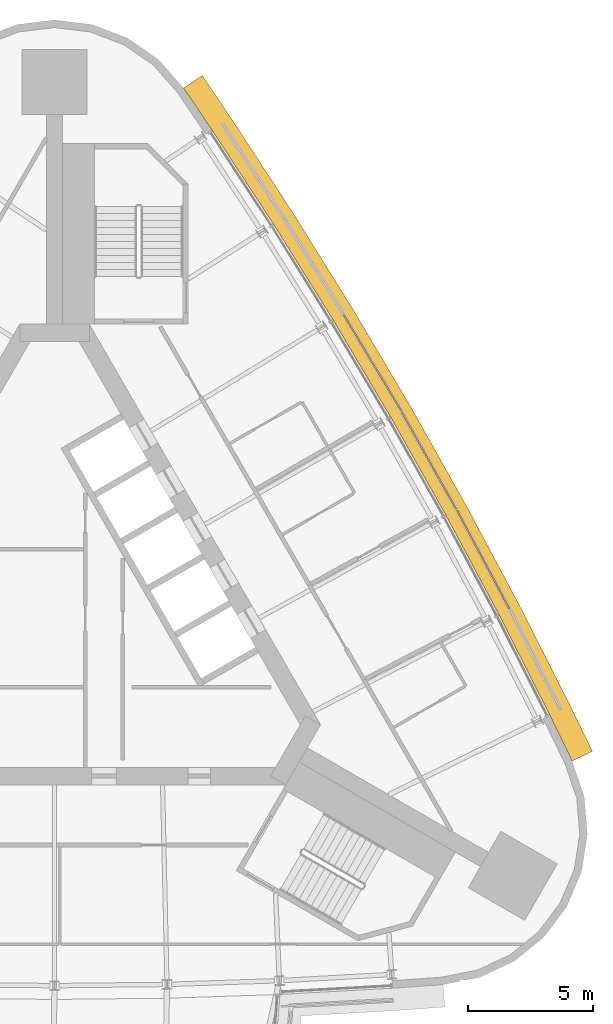
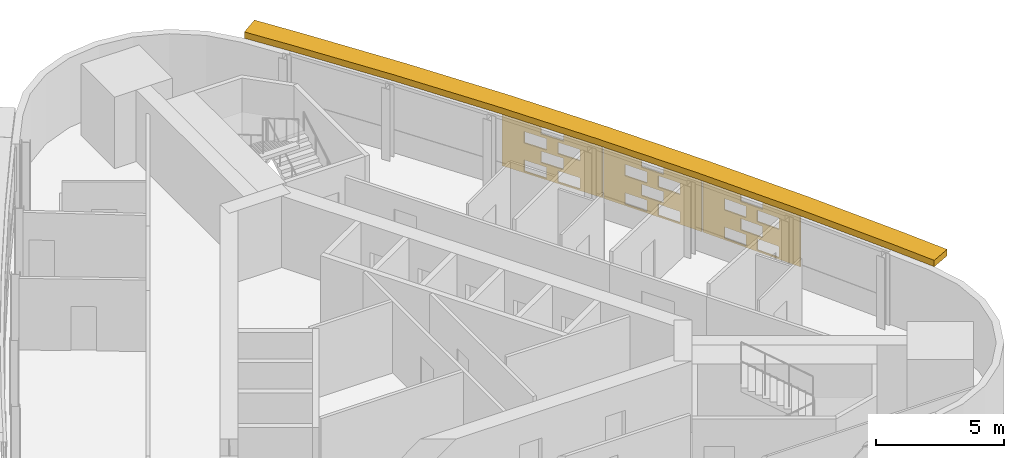
# One storey, part 14 of 14: 4 shading devices.
"""IFC4 building model written with IfcOpenShell, lengths in metres."""

import ifcopenshell
import ifcopenshell.guid

model = None  # the IFC model being written
_history = None  # IfcOwnerHistory: only IFC2X3 demands one
_inside = {}  # id of a spatial element -> (the spatial element, [elements in it])
_under = {}  # id of a project, library or spatial element -> (it, [spatial elements below it])
_declared = {}  # id of a project -> (the project, [libraries it declares])
_typed = {}  # id of a type object -> (the type object, [elements of that type])
_made_of = {}  # id of a material, layer set ... -> (it, [elements and type objects made of it])


def new_model(schema):
    """Start an empty IFC model of exactly this schema.

    Asked for "IFC4X3", IfcOpenShell would pick the latest addendum, in which some entities
    have other attributes; the version numbers below select the first issue.
    IFC2X3 requires an IfcOwnerHistory on every rooted entity: one is made here for all.
    """
    global model, _history
    if schema == "IFC4X3":
        model = ifcopenshell.file(schema_version=(4, 3, 0, 0))
    else:
        model = ifcopenshell.file(schema=schema)
    _inside.clear()
    _under.clear()
    _declared.clear()
    _typed.clear()
    _made_of.clear()
    _history = None
    if model.schema == "IFC2X3":
        org = make("IfcOrganization", Name="unknown")
        user = make(
            "IfcPersonAndOrganization",
            ThePerson=make("IfcPerson", FamilyName="unknown"),
            TheOrganization=org,
        )
        app = make(
            "IfcApplication",
            ApplicationDeveloper=org,
            Version="unknown",
            ApplicationFullName="unknown",
            ApplicationIdentifier="unknown",
        )
        _history = make(
            "IfcOwnerHistory",
            OwningUser=user,
            OwningApplication=app,
            ChangeAction="ADDED",
            CreationDate=0,
        )
    return model


def make(cls, **values):
    """One entity of the class cls with the attributes given. An attribute that is None is left unset."""
    return model.create_entity(
        cls, **{name: value for name, value in values.items() if value is not None}
    )


def rooted(cls, **values):
    """An entity with a GlobalId (a new one), such as an element, a storey or a relation."""
    return make(cls, GlobalId=ifcopenshell.guid.new(), OwnerHistory=_history, **values)


def si_unit(unit_type, name, prefix=None):
    """IfcSIUnit, for example si_unit("LENGTHUNIT", "METRE", prefix="MILLI")."""
    return make("IfcSIUnit", UnitType=unit_type, Prefix=prefix, Name=name)


def assignment(units):
    """IfcUnitAssignment: the units of a project."""
    return None if units is None else make("IfcUnitAssignment", Units=units)


def point(xyz):
    """IfcCartesianPoint."""
    return None if xyz is None else make("IfcCartesianPoint", Coordinates=xyz)


def direction(xyz):
    """IfcDirection."""
    return None if xyz is None else make("IfcDirection", DirectionRatios=xyz)


def frame(location, z_axis=None, x_axis=None):
    """IfcAxis2Placement3D, a coordinate frame: its origin and axes. An axis left out is left unset."""
    return make(
        "IfcAxis2Placement3D",
        Location=point(location),
        Axis=direction(z_axis),
        RefDirection=direction(x_axis),
    )


def origin():
    """The frame at (0, 0, 0) with its axes left unset."""
    return frame((0.0, 0.0, 0.0))


def place(relative_to, where):
    """IfcLocalPlacement: puts the frame where relative to a parent placement (None: the world)."""
    return make(
        "IfcLocalPlacement", PlacementRelTo=relative_to, RelativePlacement=where
    )


def context(
    kind, dimensions, precision=None, world=None, true_north=None, identifier=None
):
    """IfcGeometricRepresentationContext, for example the 3D "Model" context."""
    return make(
        "IfcGeometricRepresentationContext",
        ContextIdentifier=identifier,
        ContextType=kind,
        CoordinateSpaceDimension=dimensions,
        Precision=precision,
        WorldCoordinateSystem=world,
        TrueNorth=true_north,
    )


def subcontext(parent, identifier, kind, view, scale=None):
    """IfcGeometricRepresentationSubContext, for example "Body" below "Model"."""
    return make(
        "IfcGeometricRepresentationSubContext",
        ContextIdentifier=identifier,
        ContextType=kind,
        ParentContext=parent,
        TargetScale=scale,
        TargetView=view,
    )


def project(units=None, contexts=None):
    """IfcProject with its units and contexts."""
    return rooted(
        "IfcProject",
        Name="project",
        RepresentationContexts=contexts,
        UnitsInContext=assignment(units),
    )


def spatial(cls, under=None, at=None, **own):
    """A site, building, storey or space (cls), placed at a placement, below another one or the project."""
    s = rooted(cls, ObjectPlacement=at, **own)
    if under is not None:
        _under.setdefault(under.id(), (under, []))[1].append(s)
    return s


def polyline(points):
    """IfcPolyline through the points."""
    return make("IfcPolyline", Points=[point(p) for p in points])


def outline(outer, holes=None, kind="AREA"):
    """IfcArbitraryClosedProfileDef: a profile drawn as a closed curve; with holes, ...WithVoids."""
    if holes is None:
        return make("IfcArbitraryClosedProfileDef", ProfileType=kind, OuterCurve=outer)
    return make(
        "IfcArbitraryProfileDefWithVoids",
        ProfileType=kind,
        OuterCurve=outer,
        InnerCurves=holes,
    )


def extrude(swept, where, along, depth):
    """IfcExtrudedAreaSolid: the profile swept, set in the frame where, extruded along a direction by depth."""
    return make(
        "IfcExtrudedAreaSolid",
        SweptArea=swept,
        Position=where,
        ExtrudedDirection=direction(along),
        Depth=depth,
    )


def shape(context_of_items, identifier, shape_type, items):
    """IfcShapeRepresentation: the items that make up one representation, for example the "Body"."""
    return make(
        "IfcShapeRepresentation",
        ContextOfItems=context_of_items,
        RepresentationIdentifier=identifier,
        RepresentationType=shape_type,
        Items=items,
    )


def material(Name=None, Category=None):
    """IfcMaterial."""
    return make("IfcMaterial", Name=Name, Category=Category)


def material_profile(
    of_material, cross_section, Name=None, Category=None, Priority=None
):
    """IfcMaterialProfile: a cross section and its material."""
    return make(
        "IfcMaterialProfile",
        Name=Name,
        Material=of_material,
        Profile=cross_section,
        Priority=Priority,
        Category=Category,
    )


def profile_set(profiles, Name=None, composite=None):
    """IfcMaterialProfileSet."""
    return make(
        "IfcMaterialProfileSet",
        Name=Name,
        MaterialProfiles=profiles,
        CompositeProfile=composite,
    )


def made_of(thing, what):
    """Note that an element or type object is made of a material, layer set ...; save() writes the relation."""
    if what is not None:
        _made_of.setdefault(what.id(), (what, []))[1].append(thing)
    return thing


def type_object(cls, material=None, **own):
    """A type object (cls), such as IfcWallType, which elements share."""
    return made_of(rooted(cls, **own), material)


def element(
    cls,
    number,
    at=None,
    inside=None,
    cuts=None,
    type_object=None,
    material=None,
    context=None,
    identifier="Body",
    shape_type=None,
    held_by="IfcProductDefinitionShape",
    body=None,
    shapes=None,
    **own,
):
    """One element of the class cls, such as IfcWall. Its Tag is "e" and its number.

    at: its placement. inside: the storey or other place that contains it. cuts: it is an
    opening in that element (IfcRelVoidsElement). A single representation is given by context,
    identifier, shape_type and body (its items); several are given by shapes. held_by: the class
    of the entity that holds the representations. save() writes the other relations.
    """
    e = rooted(cls, Tag="e%d" % number, ObjectPlacement=at, **own)
    if body is not None:
        shapes = [shape(context, identifier, shape_type, body)]
    if shapes is not None:
        e.Representation = make(held_by, Representations=shapes)
    if inside is not None:
        _inside.setdefault(inside.id(), (inside, []))[1].append(e)
    if cuts is not None:
        rooted(
            "IfcRelVoidsElement", RelatingBuildingElement=cuts, RelatedOpeningElement=e
        )
    if type_object is not None:
        _typed.setdefault(type_object.id(), (type_object, []))[1].append(e)
    return made_of(e, material)


def aggregate(whole, parts):
    """IfcRelAggregates: a whole, such as a stair, and the parts it consists of."""
    return rooted("IfcRelAggregates", RelatingObject=whole, RelatedObjects=parts)


def save(model, path):
    """Write the relations noted so far, then the file.

    IfcRelAggregates (storeys below a building ...), IfcRelContainedInSpatialStructure (elements
    in a storey), IfcRelDefinesByType, IfcRelAssociatesMaterial and IfcRelDeclares: one each for
    every whole, place, type object, material and project.
    """
    for whole, parts in _under.values():
        aggregate(whole, parts)
    for where, things in _inside.values():
        rooted(
            "IfcRelContainedInSpatialStructure",
            RelatedElements=things,
            RelatingStructure=where,
        )
    for kind, things in _typed.values():
        rooted("IfcRelDefinesByType", RelatedObjects=things, RelatingType=kind)
    for what, things in _made_of.values():
        rooted("IfcRelAssociatesMaterial", RelatedObjects=things, RelatingMaterial=what)
    for by, libraries in _declared.values():
        rooted("IfcRelDeclares", RelatingContext=by, RelatedDefinitions=libraries)
    model.write(path)


model = new_model("IFC4")

# Units and contexts
model_context = context("Model", 3, precision=1e-05, world=origin(), true_north=direction((0.0, 1.0)))
body_context = subcontext(model_context, "Body", "Model", "MODEL_VIEW")
ifc_project = project(units=[si_unit("LENGTHUNIT", "METRE"), si_unit("AREAUNIT", "SQUARE_METRE"), si_unit("VOLUMEUNIT", "CUBIC_METRE"), si_unit("PLANEANGLEUNIT", "RADIAN"), si_unit("MASSUNIT", "GRAM", prefix="KILO")], contexts=[model_context])

# Site, building, storey
site_placement = place(None, origin())
site = spatial("IfcSite", under=ifc_project, at=site_placement, CompositionType="ELEMENT")
building_placement = place(site_placement, origin())
building = spatial("IfcBuilding", under=site, at=building_placement, Name="Noor Cloister Tower", CompositionType="ELEMENT")
storey_placement = place(building_placement, frame((0.0, 0.0, 222.0)))
storey = spatial("IfcBuildingStorey", under=building, at=storey_placement, Name="L57", CompositionType="ELEMENT", Elevation=222.0)

# Shading devices
ifc_material_1 = material(Name="Limestone", Category="masonry")
ifc_material_profile = material_profile(ifc_material_1, outline(polyline([(-2.22998046875, -1.35009765625), (2.22998046875, -1.35009765625), (2.22998046875, 1.35009765625), (-2.22998046875, 1.35009765625), (-2.22998046875, -1.35009765625)]), holes=[polyline([(-1.25, -1.282470703125), (-0.25, -1.282470703125), (-0.25, -0.742431640625), (-1.25, -0.742431640625), (-1.25, -1.282470703125)]), polyline([(0.25, -1.282470703125), (1.25, -1.282470703125), (1.25, -0.742431640625), (0.25, -0.742431640625), (0.25, -1.282470703125)]), polyline([(-0.5, -0.607421875), (0.5, -0.607421875), (0.5, -0.0673828125), (-0.5, -0.0673828125), (-0.5, -0.607421875)]), polyline([(-1.25, 0.0673828125), (-0.25, 0.0673828125), (-0.25, 0.607421875), (-1.25, 0.607421875), (-1.25, 0.0673828125)]), polyline([(0.25, 0.0673828125), (1.25, 0.0673828125), (1.25, 0.607421875), (0.25, 0.607421875), (0.25, 0.0673828125)]), polyline([(-0.5, 0.742431640625), (0.5, 0.742431640625), (0.5, 1.282470703125), (-0.5, 1.282470703125), (-0.5, 0.742431640625)])]), Name="Woven screen 35 percent open")
ifc_profile_set = profile_set([ifc_material_profile], Name="Limestone")
shading_device_type_1 = type_object("IfcShadingDeviceType", Name="SCREEN woven limestone 35 percent open", PredefinedType="USERDEFINED", material=ifc_profile_set)
for number, where, z_axis, x_axis, name in (
    (1, (17.07861328125, 2.05078125, 1.85009765625), (0.882692078165, 0.469951800875, 0.0), (-0.469951800875, 0.882692078165, 0.0), "SCREEN L57 2"),
    (2, (14.91064453125, 6.005126953125, 1.85009765625), (0.872227864306, 0.489099736994, 0.0), (-0.489099736994, 0.872227864306, 0.0), "SCREEN L57 3"),
):
    element("IfcShadingDevice", number, at=place(storey_placement, frame(where, z_axis=z_axis, x_axis=x_axis)), inside=storey, type_object=shading_device_type_1, Name=name, ObjectType="SCREEN", PredefinedType="USERDEFINED", context=body_context, shape_type="SweptSolid", body=[
        extrude(outline(polyline([(-2.22998046875, -1.35009765625), (2.22998046875, -1.35009765625), (2.22998046875, 1.35009765625), (-2.22998046875, 1.35009765625), (-2.22998046875, -1.35009765625)]), holes=[polyline([(-1.25, -1.282470703125), (-0.25, -1.282470703125), (-0.25, -0.742431640625), (-1.25, -0.742431640625), (-1.25, -1.282470703125)]), polyline([(0.25, -1.282470703125), (1.25, -1.282470703125), (1.25, -0.742431640625), (0.25, -0.742431640625), (0.25, -1.282470703125)]), polyline([(-0.5, -0.607421875), (0.5, -0.607421875), (0.5, -0.0673828125), (-0.5, -0.0673828125), (-0.5, -0.607421875)]), polyline([(-1.25, 0.0673828125), (-0.25, 0.0673828125), (-0.25, 0.607421875), (-1.25, 0.607421875), (-1.25, 0.0673828125)]), polyline([(0.25, 0.0673828125), (1.25, 0.0673828125), (1.25, 0.607421875), (0.25, 0.607421875), (0.25, 0.0673828125)]), polyline([(-0.5, 0.742431640625), (0.5, 0.742431640625), (0.5, 1.282470703125), (-0.5, 1.282470703125), (-0.5, 0.742431640625)])]), origin(), (0.0, 0.0, 1.0), 0.059814453125),
    ])
shading_device_1_placement = place(storey_placement, frame((12.656005859375, 9.910400390625, 1.85009765625), z_axis=(0.858568146325, 0.512699461786, 0.0), x_axis=(-0.512699461786, 0.858568146325, 0.0)))
element("IfcShadingDevice", 3, at=shading_device_1_placement, inside=storey, type_object=shading_device_type_1, Name="SCREEN L57 4", ObjectType="SCREEN", PredefinedType="USERDEFINED", context=body_context, shape_type="SweptSolid", body=[
    extrude(outline(polyline([(-2.22998046875, -1.35009765625), (2.22998046875, -1.35009765625), (2.22998046875, 1.35009765625), (-2.22998046875, 1.35009765625), (-2.22998046875, -1.35009765625)]), holes=[polyline([(-1.25, -1.282470703125), (-0.25, -1.282470703125), (-0.25, -0.742431640625), (-1.25, -0.742431640625), (-1.25, -1.282470703125)]), polyline([(0.25, -1.282470703125), (1.25, -1.282470703125), (1.25, -0.742431640625), (0.25, -0.742431640625), (0.25, -1.282470703125)]), polyline([(-0.5, -0.607421875), (0.5, -0.607421875), (0.5, -0.0673828125), (-0.5, -0.0673828125), (-0.5, -0.607421875)]), polyline([(-1.25, 0.0673828125), (-0.25, 0.0673828125), (-0.25, 0.607421875), (-1.25, 0.607421875), (-1.25, 0.0673828125)]), polyline([(0.25, 0.0673828125), (1.25, 0.0673828125), (1.25, 0.607421875), (0.25, 0.607421875), (0.25, 0.0673828125)]), polyline([(-0.5, 0.742431640625), (0.5, 0.742431640625), (0.5, 1.282470703125), (-0.5, 1.282470703125), (-0.5, 0.742431640625)])]), origin(), (0.0, 0.0, 1.0), 0.06005859375),
])
ifc_material_2 = material(Name="Limestone", Category="masonry")
shading_device_type_2 = type_object("IfcShadingDeviceType", Name="SUNSHADE limestone band 900", PredefinedType="USERDEFINED", material=ifc_material_2)
shading_device_2_placement = place(storey_placement, frame((0.0, 0.0, 3.300048828125)))
element("IfcShadingDevice", 4, at=shading_device_2_placement, inside=storey, type_object=shading_device_type_2, Name="SUNSHADE L57 3", ObjectType="SUNSHADE", PredefinedType="USERDEFINED", context=body_context, shape_type="SweptSolid", body=[
    extrude(outline(polyline([(21.46533203125, -5.587158203125), (20.57861328125, -3.76171875), (18.539794921875, 0.26904296875), (16.4111328125, 4.256103515625), (14.194580078125, 8.1953125), (11.8916015625, 12.084228515625), (9.5029296875, 15.92138671875), (7.031494140625, 19.702392578125), (5.89404296875, 21.38330078125), (5.148681640625, 20.87890625), (6.2822265625, 19.2041015625), (8.744140625, 15.437255859375), (11.122314453125, 11.6171875), (13.415283203125, 7.745361328125), (15.621826171875, 3.823486328125), (17.7412109375, -0.14599609375), (19.772216796875, -4.16162109375), (20.65576171875, -5.98046875), (21.46533203125, -5.587158203125)])), origin(), (0.0, 0.0, 1.0), 0.300048828125),
])

save(model, "model.ifc")
